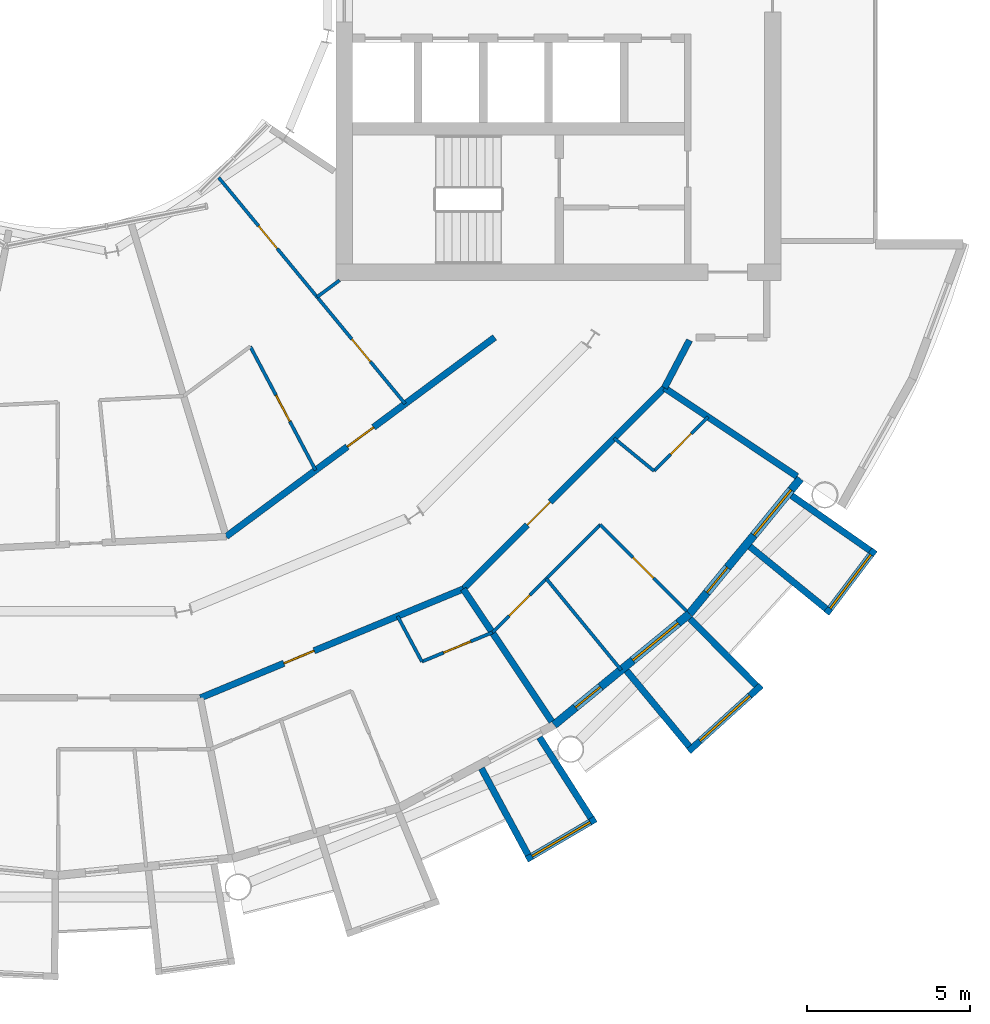
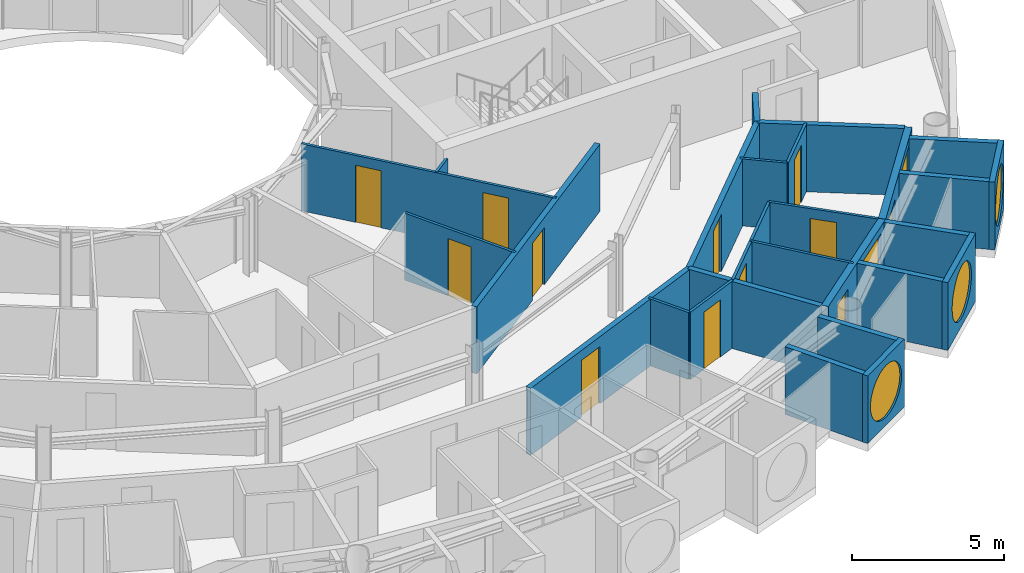
# One storey, part 17 of 27: 27 walls, 12 doors, 5 windows, 17 openings.
"""IFC4 building model written with IfcOpenShell, lengths in metres."""

from ifc_helpers import new_model, si_unit, direction, frame, frame_2d, origin, place, context, subcontext, project, spatial, rectangle, circle, extrude, material, layer, layer_set, type_object, element, fill, save


model = new_model("IFC4")

# Units and contexts
model_context = context("Model", 3, precision=1e-05, world=origin(), true_north=direction((0.0, 1.0)))
body_context = subcontext(model_context, "Body", "Model", "MODEL_VIEW")
ifc_project = project(units=[si_unit("LENGTHUNIT", "METRE"), si_unit("AREAUNIT", "SQUARE_METRE"), si_unit("VOLUMEUNIT", "CUBIC_METRE"), si_unit("PLANEANGLEUNIT", "RADIAN"), si_unit("MASSUNIT", "GRAM", prefix="KILO")], contexts=[model_context])

# Site, building, storey
site_placement = place(None, origin())
site = spatial("IfcSite", under=ifc_project, at=site_placement, CompositionType="ELEMENT")
building_placement = place(site_placement, origin())
building = spatial("IfcBuilding", under=site, at=building_placement, Name="Maasbend Ring Residences", CompositionType="ELEMENT")
storey_placement = place(building_placement, frame((0.0, 0.0, 170.75)))
storey = spatial("IfcBuildingStorey", under=building, at=storey_placement, Name="L49", CompositionType="ELEMENT", Elevation=170.75)

# Wall
ifc_material_1 = material(Name="Concrete C30/37", Category="concrete")
ifc_layer_1 = layer(ifc_material_1, 0.199951171875)
ifc_layer_set_1 = layer_set([ifc_layer_1], Name="Concrete C30/37")
wall_type_1 = type_object("IfcWallType", Name="CORRIDOR WALL 200 CONCRETE", PredefinedType="PARTITIONING", material=ifc_layer_set_1)
wall_1_placement = place(storey_placement, frame((18.5419921875, -12.388916015625, 0.0), z_axis=(0.0, 0.0, 1.0), x_axis=(0.465605550524, 0.884992356646, 0.0)))
element("IfcWall", 1, at=wall_1_placement, inside=storey, type_object=wall_type_1, Name="U-L49-w012", PredefinedType="PARTITIONING", context=body_context, shape_type="SweptSolid", body=[
    extrude(rectangle(XDim=1.642822265625, YDim=0.199951171875, at=frame_2d((0.8212890625, 0.0))), origin(), (0.0, 0.0, 1.0), 2.699951171875),
])

# Wall, opening, door
wall_2_placement = place(storey_placement, frame((4.35107421875, -21.8720703125, 0.0), z_axis=(0.0, 0.0, 1.0), x_axis=(0.923825356298, 0.382814199136, 0.0)))
wall_2 = element("IfcWall", 2, at=wall_2_placement, inside=storey, type_object=wall_type_1, Name="U-L49-w016", PredefinedType="PARTITIONING", context=body_context, shape_type="SweptSolid", body=[
    extrude(rectangle(XDim=8.7041015625, YDim=0.199951171875, at=frame_2d((4.35205078125, 0.0))), origin(), (0.0, 0.0, 1.0), 2.699951171875),
])
opening_1_placement = place(wall_2_placement, frame((2.762939453125, 0.0, 0.0)))
opening_1 = element("IfcOpeningElement", 3, at=opening_1_placement, cuts=wall_2, Name="Opening D-4946", PredefinedType="OPENING", context=body_context, shape_type="SweptSolid", body=[
    extrude(rectangle(XDim=1.0, YDim=2.300048828125, at=frame_2d((0.5, 1.14990234375))), frame((0.0, 0.10986328125, 0.0), z_axis=(0.0, -1.0, 0.0), x_axis=(1.0, 0.0, 0.0)), (0.0, 0.0, 1.0), 0.219970703125),
])
ifc_material_2 = material(Name="Timber, fire-rated, painted", Category="wood")
door_type_1 = type_object("IfcDoorType", Name="FLAT ENTRANCE DOOR 1000 X 2300 FIRE-RATED", OperationType="NOTDEFINED", PredefinedType="DOOR", material=ifc_material_2)
door_1_placement = place(opening_1_placement, origin())
door_1 = element("IfcDoor", 4, at=door_1_placement, inside=storey, type_object=door_type_1, Name="D-4946", OperationType="SINGLE_SWING_LEFT", OverallHeight=2.300048828125, OverallWidth=1.0, PredefinedType="DOOR", context=body_context, shape_type="SweptSolid", body=[
    extrude(rectangle(XDim=1.0, YDim=2.300048828125, at=frame_2d((0.5, 1.14990234375))), frame((0.0, 0.02490234375, 0.0), z_axis=(0.0, -1.0, 0.0), x_axis=(1.0, 0.0, 0.0)), (0.0, 0.0, 1.0), 0.050048828125),
])
fill(opening_1, door_1)

wall_3_placement = place(storey_placement, frame((12.388916015625, -18.5419921875, 0.0), z_axis=(0.0, 0.0, 1.0), x_axis=(0.707106781187, 0.707106781187, 0.0)))
wall_3 = element("IfcWall", 5, at=wall_3_placement, inside=storey, type_object=wall_type_1, Name="U-L49-w017", PredefinedType="PARTITIONING", context=body_context, shape_type="SweptSolid", body=[
    extrude(rectangle(XDim=8.70166015625, YDim=0.199951171875, at=frame_2d((4.350830078125, 0.0))), origin(), (0.0, 0.0, 1.0), 2.699951171875),
])
opening_2_placement = place(wall_3_placement, frame((2.762939453125, 0.0, 0.0)))
opening_2 = element("IfcOpeningElement", 6, at=opening_2_placement, cuts=wall_3, Name="Opening D-4950", PredefinedType="OPENING", context=body_context, shape_type="SweptSolid", body=[
    extrude(rectangle(XDim=1.0, YDim=2.300048828125, at=frame_2d((0.5, 1.14990234375))), frame((0.0, 0.10986328125, 0.0), z_axis=(0.0, -1.0, 0.0), x_axis=(1.0, 0.0, 0.0)), (0.0, 0.0, 1.0), 0.219970703125),
])
door_2_placement = place(opening_2_placement, origin())
door_2 = element("IfcDoor", 7, at=door_2_placement, inside=storey, type_object=door_type_1, Name="D-4950", OperationType="SINGLE_SWING_LEFT", OverallHeight=2.300048828125, OverallWidth=1.0, PredefinedType="DOOR", context=body_context, shape_type="SweptSolid", body=[
    extrude(rectangle(XDim=1.0, YDim=2.300048828125, at=frame_2d((0.5, 1.14990234375))), frame((0.0, 0.02490234375, 0.0), z_axis=(0.0, -1.0, 0.0), x_axis=(1.0, 0.0, 0.0)), (0.0, 0.0, 1.0), 0.050048828125),
])
fill(opening_2, door_2)

wall_4_placement = place(storey_placement, frame((5.136962890625, -16.93798828125, 0.0), z_axis=(0.0, 0.0, 1.0), x_axis=(0.803229232922, 0.595670042371, 0.0)))
wall_4 = element("IfcWall", 8, at=wall_4_placement, inside=storey, type_object=wall_type_1, Name="U-L49-w021", PredefinedType="PARTITIONING", context=body_context, shape_type="SweptSolid", body=[
    extrude(rectangle(XDim=10.223876953125, YDim=0.199951171875, at=frame_2d((5.11181640625, 0.0))), origin(), (0.0, 0.0, 1.0), 2.699951171875),
])
opening_3_placement = place(wall_4_placement, frame((4.612060546875, 0.0, 0.0)))
opening_3 = element("IfcOpeningElement", 9, at=opening_3_placement, cuts=wall_4, Name="Opening D-4961", PredefinedType="OPENING", context=body_context, shape_type="SweptSolid", body=[
    extrude(rectangle(XDim=1.0, YDim=2.300048828125, at=frame_2d((0.5, 1.14990234375))), frame((0.0, 0.10986328125, 0.0), z_axis=(0.0, -1.0, 0.0), x_axis=(1.0, 0.0, 0.0)), (0.0, 0.0, 1.0), 0.219970703125),
])
door_3_placement = place(opening_3_placement, origin())
door_3 = element("IfcDoor", 10, at=door_3_placement, inside=storey, type_object=door_type_1, Name="D-4961", OperationType="SINGLE_SWING_RIGHT", OverallHeight=2.300048828125, OverallWidth=1.0, PredefinedType="DOOR", context=body_context, shape_type="SweptSolid", body=[
    extrude(rectangle(XDim=1.0, YDim=2.300048828125, at=frame_2d((0.5, 1.14990234375))), frame((0.0, 0.02490234375, 0.0), z_axis=(0.0, -1.0, 0.0), x_axis=(1.0, 0.0, 0.0)), (0.0, 0.0, 1.0), 0.050048828125),
])
fill(opening_3, door_3)

# Wall, opening, window
ifc_material_3 = material(Name="Pale anodised aluminium panel", Category="aluminium")
ifc_layer_2 = layer(ifc_material_3, 0.199951171875)
ifc_layer_set_2 = layer_set([ifc_layer_2], Name="EW-BOX")
wall_type_2 = type_object("IfcWallType", Name="EW-BOX", PredefinedType="SOLIDWALL", material=ifc_layer_set_2)
wall_5_placement = place(storey_placement, frame((14.326904296875, -26.81201171875, -0.030029296875), z_axis=(0.0, 0.0, 1.0), x_axis=(0.862403467503, 0.506221551535, 0.0)))
wall_5 = element("IfcWall", 11, at=wall_5_placement, inside=storey, type_object=wall_type_2, Name="Box front S16", PredefinedType="SOLIDWALL", context=body_context, shape_type="SweptSolid", body=[
    extrude(rectangle(XDim=2.445556640625, YDim=0.199951171875, at=frame_2d((1.22265625, 0.0))), origin(), (0.0, 0.0, 1.0), 2.72998046875),
])
opening_4_placement = place(wall_5_placement, frame((0.182861328125, 0.0, 0.330078125)))
opening_4 = element("IfcOpeningElement", 12, at=opening_4_placement, cuts=wall_5, Name="Opening W-RD", PredefinedType="OPENING", context=body_context, shape_type="SweptSolid", body=[
    extrude(circle(Radius=1.0400390625, at=frame_2d((1.0400390625, 1.0400390625))), frame((0.0, 0.10986328125, 0.0), z_axis=(0.0, -1.0, 0.0), x_axis=(1.0, 0.0, 0.0)), (0.0, 0.0, 1.0), 0.219970703125),
])
ifc_material_4 = material(Name="Aluminium and clear glass", Category="aluminium")
window_type_1 = type_object("IfcWindowType", Name="W-RD", PartitioningType="SINGLE_PANEL", PredefinedType="WINDOW", material=ifc_material_4)
window_1_placement = place(opening_4_placement, origin())
window_1 = element("IfcWindow", 13, at=window_1_placement, inside=storey, type_object=window_type_1, Name="Round window S16", OverallHeight=2.080078125, OverallWidth=2.080078125, PartitioningType="SINGLE_PANEL", PredefinedType="WINDOW", context=body_context, shape_type="SweptSolid", body=[
    extrude(circle(Radius=1.0400390625, at=frame_2d((1.0400390625, 1.0400390625))), frame((0.0, 0.030029296875, 0.0), z_axis=(0.0, -1.0, 0.0), x_axis=(1.0, 0.0, 0.0)), (0.0, 0.0, 1.0), 0.06005859375),
])
fill(opening_4, window_1)

# Walls
wall_6_placement = place(storey_placement, frame((12.945068359375, -24.029052734375, -0.030029296875), z_axis=(0.0, 0.0, 1.0), x_axis=(0.474424310775, -0.88029629861, 0.0)))
element("IfcWall", 14, at=wall_6_placement, inside=storey, type_object=wall_type_2, Name="Box side wall S16 left", PredefinedType="SOLIDWALL", context=body_context, shape_type="SweptSolid", body=[
    extrude(rectangle(XDim=3.005859375, YDim=0.199951171875, at=frame_2d((1.5029296875, 0.0))), origin(), (0.0, 0.0, 1.0), 2.72998046875),
])
wall_7_placement = place(storey_placement, frame((14.721923828125, -23.0791015625, -0.030029296875), z_axis=(0.0, 0.0, 1.0), x_axis=(0.537572179146, -0.843217737129, 0.0)))
element("IfcWall", 15, at=wall_7_placement, inside=storey, type_object=wall_type_2, Name="Box side wall S16 right", PredefinedType="SOLIDWALL", context=body_context, shape_type="SweptSolid", body=[
    extrude(rectangle(XDim=2.92431640625, YDim=0.199951171875, at=frame_2d((1.462158203125, 0.0))), origin(), (0.0, 0.0, 1.0), 2.72998046875),
])

# Wall, opening, window
wall_8_placement = place(storey_placement, frame((19.281982421875, -23.5029296875, -0.030029296875), z_axis=(0.0, 0.0, 1.0), x_axis=(0.740998365753, 0.671506829416, 0.0)))
wall_8 = element("IfcWall", 16, at=wall_8_placement, inside=storey, type_object=wall_type_2, Name="Box front S18", PredefinedType="SOLIDWALL", context=body_context, shape_type="SweptSolid", body=[
    extrude(rectangle(XDim=2.9931640625, YDim=0.199951171875, at=frame_2d((1.49658203125, 0.0))), origin(), (0.0, 0.0, 1.0), 2.72998046875),
])
opening_5_placement = place(wall_8_placement, frame((0.45654296875, 0.0, 0.330078125)))
opening_5 = element("IfcOpeningElement", 17, at=opening_5_placement, cuts=wall_8, Name="Opening W-RD", PredefinedType="OPENING", context=body_context, shape_type="SweptSolid", body=[
    extrude(circle(Radius=1.0400390625, at=frame_2d((1.0400390625, 1.0400390625))), frame((0.0, 0.10986328125, 0.0), z_axis=(0.0, -1.0, 0.0), x_axis=(1.0, 0.0, 0.0)), (0.0, 0.0, 1.0), 0.219970703125),
])
window_2_placement = place(opening_5_placement, origin())
window_2 = element("IfcWindow", 18, at=window_2_placement, inside=storey, type_object=window_type_1, Name="Round window S18", OverallHeight=2.080078125, OverallWidth=2.080078125, PartitioningType="SINGLE_PANEL", PredefinedType="WINDOW", context=body_context, shape_type="SweptSolid", body=[
    extrude(circle(Radius=1.0400390625, at=frame_2d((1.0400390625, 1.0400390625))), frame((0.0, 0.030029296875, 0.0), z_axis=(0.0, -1.0, 0.0), x_axis=(1.0, 0.0, 0.0)), (0.0, 0.0, 1.0), 0.06005859375),
])
fill(opening_5, window_2)

# Walls
wall_9_placement = place(storey_placement, frame((17.384033203125, -21.041015625, -0.030029296875), z_axis=(0.0, 0.0, 1.0), x_axis=(0.63709551667, -0.770784861449, 0.0)))
element("IfcWall", 19, at=wall_9_placement, inside=storey, type_object=wall_type_2, Name="Box side wall S18 left", PredefinedType="SOLIDWALL", context=body_context, shape_type="SweptSolid", body=[
    extrude(rectangle(XDim=3.005859375, YDim=0.199951171875, at=frame_2d((1.5029296875, 0.0))), origin(), (0.0, 0.0, 1.0), 2.72998046875),
])
wall_10_placement = place(storey_placement, frame((19.322998046875, -19.449951171875, -0.030029296875), z_axis=(0.0, 0.0, 1.0), x_axis=(0.704476739375, -0.709727076896, 0.0)))
element("IfcWall", 20, at=wall_10_placement, inside=storey, type_object=wall_type_2, Name="Box side wall S18 right", PredefinedType="SOLIDWALL", context=body_context, shape_type="SweptSolid", body=[
    extrude(rectangle(XDim=2.883056640625, YDim=0.199951171875, at=frame_2d((1.44140625, 0.0))), origin(), (0.0, 0.0, 1.0), 2.72998046875),
])

# Wall, opening, window
wall_11_placement = place(storey_placement, frame((23.4970703125, -19.2890625, -0.030029296875), z_axis=(0.0, 0.0, 1.0), x_axis=(0.602806268067, 0.797887588059, 0.0)))
wall_11 = element("IfcWall", 21, at=wall_11_placement, inside=storey, type_object=wall_type_2, Name="Box front S20", PredefinedType="SOLIDWALL", context=body_context, shape_type="SweptSolid", body=[
    extrude(rectangle(XDim=2.446533203125, YDim=0.199951171875, at=frame_2d((1.22314453125, 0.0))), origin(), (0.0, 0.0, 1.0), 2.72998046875),
])
opening_6_placement = place(wall_11_placement, frame((0.182861328125, 0.0, 0.330078125)))
opening_6 = element("IfcOpeningElement", 22, at=opening_6_placement, cuts=wall_11, Name="Opening W-RD", PredefinedType="OPENING", context=body_context, shape_type="SweptSolid", body=[
    extrude(circle(Radius=1.0400390625, at=frame_2d((1.0400390625, 1.0400390625))), frame((0.0, 0.10986328125, 0.0), z_axis=(0.0, -1.0, 0.0), x_axis=(1.0, 0.0, 0.0)), (0.0, 0.0, 1.0), 0.219970703125),
])
window_3_placement = place(opening_6_placement, origin())
window_3 = element("IfcWindow", 23, at=window_3_placement, inside=storey, type_object=window_type_1, Name="Round window S20", OverallHeight=2.080078125, OverallWidth=2.080078125, PartitioningType="SINGLE_PANEL", PredefinedType="WINDOW", context=body_context, shape_type="SweptSolid", body=[
    extrude(circle(Radius=1.0400390625, at=frame_2d((1.0400390625, 1.0400390625))), frame((0.0, 0.030029296875, 0.0), z_axis=(0.0, -1.0, 0.0), x_axis=(1.0, 0.0, 0.0)), (0.0, 0.0, 1.0), 0.06005859375),
])
fill(opening_6, window_3)

# Walls
wall_12_placement = place(storey_placement, frame((21.155029296875, -17.24609375, -0.030029296875), z_axis=(0.0, 0.0, 1.0), x_axis=(0.775179004516, -0.631741648902, 0.0)))
element("IfcWall", 24, at=wall_12_placement, inside=storey, type_object=wall_type_2, Name="Box side wall S20 left", PredefinedType="SOLIDWALL", context=body_context, shape_type="SweptSolid", body=[
    extrude(rectangle(XDim=3.005859375, YDim=0.199951171875, at=frame_2d((1.5029296875, 0.0))), origin(), (0.0, 0.0, 1.0), 2.72998046875),
])
wall_13_placement = place(storey_placement, frame((22.43310546875, -15.68798828125, -0.030029296875), z_axis=(0.0, 0.0, 1.0), x_axis=(0.819373043115, -0.573260687834, 0.0)))
element("IfcWall", 25, at=wall_13_placement, inside=storey, type_object=wall_type_2, Name="Box side wall S20 right", PredefinedType="SOLIDWALL", context=body_context, shape_type="SweptSolid", body=[
    extrude(rectangle(XDim=2.92529296875, YDim=0.199951171875, at=frame_2d((1.462646484375, 0.0))), origin(), (0.0, 0.0, 1.0), 2.72998046875),
])

# Wall, openings, door, window
ifc_material_5 = material(Name="Aluminium clad insulated panel", Category="aluminium")
ifc_layer_3 = layer(ifc_material_5, 0.25)
ifc_layer_set_3 = layer_set([ifc_layer_3], Name="EW-GL")
wall_type_3 = type_object("IfcWallType", Name="EW-GL", PredefinedType="SOLIDWALL", material=ifc_layer_set_3)
wall_14_placement = place(storey_placement, frame((15.1669921875, -22.698974609375, 0.0), z_axis=(0.0, 0.0, 1.0), x_axis=(0.773019449054, 0.634382322723, 0.0)))
wall_14 = element("IfcWall", 26, at=wall_14_placement, inside=storey, type_object=wall_type_3, Name="External wall S09", PredefinedType="SOLIDWALL", context=body_context, shape_type="SweptSolid", body=[
    extrude(rectangle(XDim=5.351806640625, YDim=0.25, at=frame_2d((2.67578125, 0.0))), origin(), (0.0, 0.0, 1.0), 2.699951171875),
])
opening_7_placement = place(wall_14_placement, frame((0.841064453125, 0.0, 0.0)))
opening_7 = element("IfcOpeningElement", 27, at=opening_7_placement, cuts=wall_14, Name="Opening D-LG", PredefinedType="OPENING", context=body_context, shape_type="SweptSolid", body=[
    extrude(rectangle(XDim=1.0, YDim=2.199951171875, at=frame_2d((0.5, 1.10009765625))), frame((0.0, 0.135009765625, 0.0), z_axis=(0.0, -1.0, 0.0), x_axis=(1.0, 0.0, 0.0)), (0.0, 0.0, 1.0), 0.27001953125),
])
opening_8_placement = place(wall_14_placement, frame((3.110595703125, 0.0, 0.300048828125)))
opening_8 = element("IfcOpeningElement", 28, at=opening_8_placement, cuts=wall_14, Name="Opening W-BX", PredefinedType="OPENING", context=body_context, shape_type="SweptSolid", body=[
    extrude(rectangle(XDim=1.800048828125, YDim=2.10009765625, at=frame_2d((0.89990234375, 1.050048828125))), frame((0.0, 0.135009765625, 0.0), z_axis=(0.0, -1.0, 0.0), x_axis=(1.0, 0.0, 0.0)), (0.0, 0.0, 1.0), 0.27001953125),
])
ifc_material_6 = material(Name="Aluminium and clear glass", Category="aluminium")
door_type_2 = type_object("IfcDoorType", Name="D-LG", OperationType="SINGLE_SWING_LEFT", PredefinedType="DOOR", material=ifc_material_6)
door_4_placement = place(opening_7_placement, origin())
door_4 = element("IfcDoor", 29, at=door_4_placement, inside=storey, type_object=door_type_2, Name="Loggia door S17", OperationType="SINGLE_SWING_LEFT", OverallHeight=2.199951171875, OverallWidth=1.0, PredefinedType="DOOR", context=body_context, shape_type="SweptSolid", body=[
    extrude(rectangle(XDim=1.0, YDim=2.199951171875, at=frame_2d((0.5, 1.10009765625))), frame((0.0, 0.02490234375, 0.0), z_axis=(0.0, -1.0, 0.0), x_axis=(1.0, 0.0, 0.0)), (0.0, 0.0, 1.0), 0.050048828125),
])
fill(opening_7, door_4)
ifc_material_7 = material(Name="Aluminium and clear glass", Category="aluminium")
window_type_2 = type_object("IfcWindowType", Name="W-BX", PartitioningType="DOUBLE_PANEL_VERTICAL", PredefinedType="WINDOW", material=ifc_material_7)
window_4_placement = place(opening_8_placement, origin())
window_4 = element("IfcWindow", 30, at=window_4_placement, inside=storey, type_object=window_type_2, Name="Window S18 room to box", OverallHeight=2.10009765625, OverallWidth=1.800048828125, PartitioningType="SINGLE_PANEL", PredefinedType="WINDOW", context=body_context, shape_type="SweptSolid", body=[
    extrude(rectangle(XDim=1.800048828125, YDim=2.10009765625, at=frame_2d((0.89990234375, 1.050048828125))), frame((0.0, 0.030029296875, 0.0), z_axis=(0.0, -1.0, 0.0), x_axis=(1.0, 0.0, 0.0)), (0.0, 0.0, 1.0), 0.06005859375),
])
fill(opening_8, window_4)

wall_15_placement = place(storey_placement, frame((19.303955078125, -19.303955078125, 0.0), z_axis=(0.0, 0.0, 1.0), x_axis=(0.634382322723, 0.773019449054, 0.0)))
wall_15 = element("IfcWall", 31, at=wall_15_placement, inside=storey, type_object=wall_type_3, Name="External wall S10", PredefinedType="SOLIDWALL", context=body_context, shape_type="SweptSolid", body=[
    extrude(rectangle(XDim=5.351806640625, YDim=0.25, at=frame_2d((2.67578125, 0.0))), origin(), (0.0, 0.0, 1.0), 2.699951171875),
])
opening_9_placement = place(wall_15_placement, frame((0.841064453125, 0.0, 0.0)))
opening_9 = element("IfcOpeningElement", 32, at=opening_9_placement, cuts=wall_15, Name="Opening D-LG", PredefinedType="OPENING", context=body_context, shape_type="SweptSolid", body=[
    extrude(rectangle(XDim=1.0, YDim=2.199951171875, at=frame_2d((0.5, 1.10009765625))), frame((0.0, 0.135009765625, 0.0), z_axis=(0.0, -1.0, 0.0), x_axis=(1.0, 0.0, 0.0)), (0.0, 0.0, 1.0), 0.27001953125),
])
opening_10_placement = place(wall_15_placement, frame((3.110595703125, 0.0, 0.300048828125)))
opening_10 = element("IfcOpeningElement", 33, at=opening_10_placement, cuts=wall_15, Name="Opening W-BX", PredefinedType="OPENING", context=body_context, shape_type="SweptSolid", body=[
    extrude(rectangle(XDim=1.800048828125, YDim=2.10009765625, at=frame_2d((0.89990234375, 1.050048828125))), frame((0.0, 0.135009765625, 0.0), z_axis=(0.0, -1.0, 0.0), x_axis=(1.0, 0.0, 0.0)), (0.0, 0.0, 1.0), 0.27001953125),
])
door_5_placement = place(opening_9_placement, origin())
door_5 = element("IfcDoor", 34, at=door_5_placement, inside=storey, type_object=door_type_2, Name="Loggia door S19", OperationType="SINGLE_SWING_LEFT", OverallHeight=2.199951171875, OverallWidth=1.0, PredefinedType="DOOR", context=body_context, shape_type="SweptSolid", body=[
    extrude(rectangle(XDim=1.0, YDim=2.199951171875, at=frame_2d((0.5, 1.10009765625))), frame((0.0, 0.02490234375, 0.0), z_axis=(0.0, -1.0, 0.0), x_axis=(1.0, 0.0, 0.0)), (0.0, 0.0, 1.0), 0.050048828125),
])
fill(opening_9, door_5)
window_5_placement = place(opening_10_placement, origin())
window_5 = element("IfcWindow", 35, at=window_5_placement, inside=storey, type_object=window_type_2, Name="Window S20 room to box", OverallHeight=2.10009765625, OverallWidth=1.800048828125, PartitioningType="SINGLE_PANEL", PredefinedType="WINDOW", context=body_context, shape_type="SweptSolid", body=[
    extrude(rectangle(XDim=1.800048828125, YDim=2.10009765625, at=frame_2d((0.89990234375, 1.050048828125))), frame((0.0, 0.030029296875, 0.0), z_axis=(0.0, -1.0, 0.0), x_axis=(1.0, 0.0, 0.0)), (0.0, 0.0, 1.0), 0.06005859375),
])
fill(opening_10, window_5)

# Wall, opening, door
ifc_material_8 = material(Name="Gypsum board on steel studs", Category="steel")
ifc_layer_4 = layer(ifc_material_8, 0.10009765625)
ifc_layer_set_4 = layer_set([ifc_layer_4], Name="PARTITION 100 GYPSUM")
wall_type_4 = type_object("IfcWallType", Name="PARTITION 100 GYPSUM", PredefinedType="PARTITIONING", material=ifc_layer_set_4)
wall_16_placement = place(storey_placement, frame((11.1240234375, -20.763916015625, 0.0), z_axis=(0.0, 0.0, 1.0), x_axis=(0.923938991376, 0.382539854414, 0.0)))
wall_16 = element("IfcWall", 36, at=wall_16_placement, inside=storey, type_object=wall_type_4, Name="U-L49-w008", PredefinedType="PARTITIONING", context=body_context, shape_type="SweptSolid", body=[
    extrude(rectangle(XDim=2.331298828125, YDim=0.10009765625, at=frame_2d((1.16552734375, 0.0))), origin(), (0.0, 0.0, 1.0), 2.699951171875),
])
opening_11_placement = place(wall_16_placement, frame((0.716064453125, 0.0, 0.0)))
opening_11 = element("IfcOpeningElement", 37, at=opening_11_placement, cuts=wall_16, Name="Opening D-4947", PredefinedType="OPENING", context=body_context, shape_type="SweptSolid", body=[
    extrude(rectangle(XDim=0.89990234375, YDim=2.300048828125, at=frame_2d((0.449951171875, 1.14990234375))), frame((0.0, 0.06005859375, 0.0), z_axis=(0.0, -1.0, 0.0), x_axis=(1.0, 0.0, 0.0)), (0.0, 0.0, 1.0), 0.1201171875),
])
ifc_material_9 = material(Name="Timber, painted", Category="wood")
door_type_3 = type_object("IfcDoorType", Name="INTERNAL DOOR 900 X 2300", OperationType="NOTDEFINED", PredefinedType="DOOR", material=ifc_material_9)
door_6_placement = place(opening_11_placement, origin())
door_6 = element("IfcDoor", 38, at=door_6_placement, inside=storey, type_object=door_type_3, Name="D-4947", OperationType="SINGLE_SWING_RIGHT", OverallHeight=2.300048828125, OverallWidth=0.89990234375, PredefinedType="DOOR", context=body_context, shape_type="SweptSolid", body=[
    extrude(rectangle(XDim=0.89990234375, YDim=2.300048828125, at=frame_2d((0.449951171875, 1.14990234375))), frame((0.0, 0.02490234375, 0.0), z_axis=(0.0, -1.0, 0.0), x_axis=(1.0, 0.0, 0.0)), (0.0, 0.0, 1.0), 0.050048828125),
])
fill(opening_11, door_6)

wall_17_placement = place(storey_placement, frame((13.284912109375, -19.868896484375, 0.0), z_axis=(0.0, 0.0, 1.0), x_axis=(0.706923494552, 0.707290020325, 0.0)))
wall_17 = element("IfcWall", 39, at=wall_17_placement, inside=storey, type_object=wall_type_4, Name="U-L49-w009", PredefinedType="PARTITIONING", context=body_context, shape_type="SweptSolid", body=[
    extrude(rectangle(XDim=4.66259765625, YDim=0.10009765625, at=frame_2d((2.331298828125, 0.0))), origin(), (0.0, 0.0, 1.0), 2.699951171875),
])
opening_12_placement = place(wall_17_placement, frame((0.7119140625, 0.0, 0.0)))
opening_12 = element("IfcOpeningElement", 40, at=opening_12_placement, cuts=wall_17, Name="Opening D-4953", PredefinedType="OPENING", context=body_context, shape_type="SweptSolid", body=[
    extrude(rectangle(XDim=0.89990234375, YDim=2.300048828125, at=frame_2d((0.449951171875, 1.14990234375))), frame((0.0, 0.06005859375, 0.0), z_axis=(0.0, -1.0, 0.0), x_axis=(1.0, 0.0, 0.0)), (0.0, 0.0, 1.0), 0.1201171875),
])
door_7_placement = place(opening_12_placement, origin())
door_7 = element("IfcDoor", 41, at=door_7_placement, inside=storey, type_object=door_type_3, Name="D-4953", OperationType="SINGLE_SWING_LEFT", OverallHeight=2.300048828125, OverallWidth=0.89990234375, PredefinedType="DOOR", context=body_context, shape_type="SweptSolid", body=[
    extrude(rectangle(XDim=0.89990234375, YDim=2.300048828125, at=frame_2d((0.449951171875, 1.14990234375))), frame((0.0, 0.02490234375, 0.0), z_axis=(0.0, -1.0, 0.0), x_axis=(1.0, 0.0, 0.0)), (0.0, 0.0, 1.0), 0.050048828125),
])
fill(opening_12, door_7)

wall_18_placement = place(storey_placement, frame((18.22412109375, -14.927001953125, 0.0), z_axis=(0.0, 0.0, 1.0), x_axis=(0.706897299114, 0.707316201218, 0.0)))
wall_18 = element("IfcWall", 42, at=wall_18_placement, inside=storey, type_object=wall_type_4, Name="U-L49-w010", PredefinedType="PARTITIONING", context=body_context, shape_type="SweptSolid", body=[
    extrude(rectangle(XDim=2.331298828125, YDim=0.10009765625, at=frame_2d((1.16552734375, 0.0))), origin(), (0.0, 0.0, 1.0), 2.699951171875),
])
opening_13_placement = place(wall_18_placement, frame((0.716064453125, 0.0, 0.0)))
opening_13 = element("IfcOpeningElement", 43, at=opening_13_placement, cuts=wall_18, Name="Opening D-4951", PredefinedType="OPENING", context=body_context, shape_type="SweptSolid", body=[
    extrude(rectangle(XDim=0.89990234375, YDim=2.300048828125, at=frame_2d((0.449951171875, 1.14990234375))), frame((0.0, 0.06005859375, 0.0), z_axis=(0.0, -1.0, 0.0), x_axis=(1.0, 0.0, 0.0)), (0.0, 0.0, 1.0), 0.1201171875),
])
door_8_placement = place(opening_13_placement, origin())
door_8 = element("IfcDoor", 44, at=door_8_placement, inside=storey, type_object=door_type_3, Name="D-4951", OperationType="SINGLE_SWING_RIGHT", OverallHeight=2.300048828125, OverallWidth=0.89990234375, PredefinedType="DOOR", context=body_context, shape_type="SweptSolid", body=[
    extrude(rectangle(XDim=0.89990234375, YDim=2.300048828125, at=frame_2d((0.449951171875, 1.14990234375))), frame((0.0, 0.02490234375, 0.0), z_axis=(0.0, -1.0, 0.0), x_axis=(1.0, 0.0, 0.0)), (0.0, 0.0, 1.0), 0.050048828125),
])
fill(opening_13, door_8)

# Wall
wall_19_placement = place(storey_placement, frame((7.9189453125, -9.611083984375, 0.0), z_axis=(0.0, 0.0, 1.0), x_axis=(0.803199066515, 0.595710718007, 0.0)))
element("IfcWall", 45, at=wall_19_placement, inside=storey, type_object=wall_type_4, Name="U-L49-w026", PredefinedType="PARTITIONING", context=body_context, shape_type="SweptSolid", body=[
    extrude(rectangle(XDim=0.857666015625, YDim=0.10009765625, at=frame_2d((0.4287109375, 0.0))), origin(), (0.0, 0.0, 1.0), 2.699951171875),
])

# Wall, openings, doors
wall_20_placement = place(storey_placement, frame((4.907958984375, -5.958984375, 0.0), z_axis=(0.0, 0.0, 1.0), x_axis=(0.636115614725, -0.771593756262, 0.0)))
wall_20 = element("IfcWall", 46, at=wall_20_placement, inside=storey, type_object=wall_type_4, Name="U-L49-w075", PredefinedType="PARTITIONING", context=body_context, shape_type="SweptSolid", body=[
    extrude(rectangle(XDim=8.967041015625, YDim=0.10009765625, at=frame_2d((4.4833984375, 0.0))), origin(), (0.0, 0.0, 1.0), 2.699951171875),
])
opening_14_placement = place(wall_20_placement, frame((6.39990234375, 0.0, 0.0)))
opening_14 = element("IfcOpeningElement", 47, at=opening_14_placement, cuts=wall_20, Name="Opening D-4963", PredefinedType="OPENING", context=body_context, shape_type="SweptSolid", body=[
    extrude(rectangle(XDim=0.89990234375, YDim=2.300048828125, at=frame_2d((0.449951171875, 1.14990234375))), frame((0.0, 0.06005859375, 0.0), z_axis=(0.0, -1.0, 0.0), x_axis=(1.0, 0.0, 0.0)), (0.0, 0.0, 1.0), 0.1201171875),
])
opening_15_placement = place(wall_20_placement, frame((1.9169921875, 0.0, 0.0)))
opening_15 = element("IfcOpeningElement", 48, at=opening_15_placement, cuts=wall_20, Name="Opening D-4964", PredefinedType="OPENING", context=body_context, shape_type="SweptSolid", body=[
    extrude(rectangle(XDim=0.89990234375, YDim=2.300048828125, at=frame_2d((0.449951171875, 1.14990234375))), frame((0.0, 0.06005859375, 0.0), z_axis=(0.0, -1.0, 0.0), x_axis=(1.0, 0.0, 0.0)), (0.0, 0.0, 1.0), 0.1201171875),
])
door_9_placement = place(opening_14_placement, origin())
door_9 = element("IfcDoor", 49, at=door_9_placement, inside=storey, type_object=door_type_3, Name="D-4963", OperationType="SINGLE_SWING_RIGHT", OverallHeight=2.300048828125, OverallWidth=0.89990234375, PredefinedType="DOOR", context=body_context, shape_type="SweptSolid", body=[
    extrude(rectangle(XDim=0.89990234375, YDim=2.300048828125, at=frame_2d((0.449951171875, 1.14990234375))), frame((0.0, 0.02490234375, 0.0), z_axis=(0.0, -1.0, 0.0), x_axis=(1.0, 0.0, 0.0)), (0.0, 0.0, 1.0), 0.050048828125),
])
fill(opening_14, door_9)
door_10_placement = place(opening_15_placement, origin())
door_10 = element("IfcDoor", 50, at=door_10_placement, inside=storey, type_object=door_type_3, Name="D-4964", OperationType="SINGLE_SWING_LEFT", OverallHeight=2.300048828125, OverallWidth=0.89990234375, PredefinedType="DOOR", context=body_context, shape_type="SweptSolid", body=[
    extrude(rectangle(XDim=0.89990234375, YDim=2.300048828125, at=frame_2d((0.449951171875, 1.14990234375))), frame((0.0, 0.02490234375, 0.0), z_axis=(0.0, -1.0, 0.0), x_axis=(1.0, 0.0, 0.0)), (0.0, 0.0, 1.0), 0.050048828125),
])
fill(opening_15, door_10)

# Wall, opening, door
wall_21_placement = place(storey_placement, frame((5.875, -11.1259765625, 0.0), z_axis=(0.0, 0.0, 1.0), x_axis=(0.467030118529, -0.884241408432, 0.0)))
wall_21 = element("IfcWall", 51, at=wall_21_placement, inside=storey, type_object=wall_type_4, Name="U-L49-w076", PredefinedType="PARTITIONING", context=body_context, shape_type="SweptSolid", body=[
    extrude(rectangle(XDim=4.278076171875, YDim=0.10009765625, at=frame_2d((2.13916015625, 0.0))), origin(), (0.0, 0.0, 1.0), 2.699951171875),
])
opening_16_placement = place(wall_21_placement, frame((1.68896484375, 0.0, 0.0)))
opening_16 = element("IfcOpeningElement", 52, at=opening_16_placement, cuts=wall_21, Name="Opening D-4962", PredefinedType="OPENING", context=body_context, shape_type="SweptSolid", body=[
    extrude(rectangle(XDim=0.89990234375, YDim=2.300048828125, at=frame_2d((0.449951171875, 1.14990234375))), frame((0.0, 0.06005859375, 0.0), z_axis=(0.0, -1.0, 0.0), x_axis=(1.0, 0.0, 0.0)), (0.0, 0.0, 1.0), 0.1201171875),
])
door_11_placement = place(opening_16_placement, origin())
door_11 = element("IfcDoor", 53, at=door_11_placement, inside=storey, type_object=door_type_3, Name="D-4962", OperationType="SINGLE_SWING_RIGHT", OverallHeight=2.300048828125, OverallWidth=0.89990234375, PredefinedType="DOOR", context=body_context, shape_type="SweptSolid", body=[
    extrude(rectangle(XDim=0.89990234375, YDim=2.300048828125, at=frame_2d((0.449951171875, 1.14990234375))), frame((0.0, 0.02490234375, 0.0), z_axis=(0.0, -1.0, 0.0), x_axis=(1.0, 0.0, 0.0)), (0.0, 0.0, 1.0), 0.050048828125),
])
fill(opening_16, door_11)

# Walls
wall_22_placement = place(storey_placement, frame((10.3798828125, -19.3740234375, 0.0), z_axis=(0.0, 0.0, 1.0), x_axis=(0.472002235476, -0.881597351236, 0.0)))
element("IfcWall", 54, at=wall_22_placement, inside=storey, type_object=wall_type_4, Name="U-L49-w083", PredefinedType="PARTITIONING", context=body_context, shape_type="SweptSolid", body=[
    extrude(rectangle(XDim=1.57666015625, YDim=0.10009765625, at=frame_2d((0.788330078125, 0.0))), origin(), (0.0, 0.0, 1.0), 2.699951171875),
])
wall_23_placement = place(storey_placement, frame((14.927001953125, -18.22412109375, 0.0), z_axis=(0.0, 0.0, 1.0), x_axis=(0.633737383709, -0.773548271597, 0.0)))
element("IfcWall", 55, at=wall_23_placement, inside=storey, type_object=wall_type_4, Name="U-L49-w087", PredefinedType="PARTITIONING", context=body_context, shape_type="SweptSolid", body=[
    extrude(rectangle(XDim=3.6181640625, YDim=0.10009765625, at=frame_2d((1.80908203125, 0.0))), origin(), (0.0, 0.0, 1.0), 2.699951171875),
])

# Wall, opening, door
wall_24_placement = place(storey_placement, frame((16.574951171875, -16.574951171875, 0.0), z_axis=(0.0, 0.0, 1.0), x_axis=(0.707106781187, -0.707106781187, 0.0)))
wall_24 = element("IfcWall", 56, at=wall_24_placement, inside=storey, type_object=wall_type_4, Name="U-L49-w088", PredefinedType="PARTITIONING", context=body_context, shape_type="SweptSolid", body=[
    extrude(rectangle(XDim=3.735107421875, YDim=0.10009765625, at=frame_2d((1.86767578125, 0.0))), origin(), (0.0, 0.0, 1.0), 2.699951171875),
])
opening_17_placement = place(wall_24_placement, frame((1.4169921875, 0.0, 0.0)))
opening_17 = element("IfcOpeningElement", 57, at=opening_17_placement, cuts=wall_24, Name="Opening D-4952", PredefinedType="OPENING", context=body_context, shape_type="SweptSolid", body=[
    extrude(rectangle(XDim=0.89990234375, YDim=2.300048828125, at=frame_2d((0.449951171875, 1.14990234375))), frame((0.0, 0.06005859375, 0.0), z_axis=(0.0, -1.0, 0.0), x_axis=(1.0, 0.0, 0.0)), (0.0, 0.0, 1.0), 0.1201171875),
])
door_12_placement = place(opening_17_placement, origin())
door_12 = element("IfcDoor", 58, at=door_12_placement, inside=storey, type_object=door_type_3, Name="D-4952", OperationType="SINGLE_SWING_RIGHT", OverallHeight=2.300048828125, OverallWidth=0.89990234375, PredefinedType="DOOR", context=body_context, shape_type="SweptSolid", body=[
    extrude(rectangle(XDim=0.89990234375, YDim=2.300048828125, at=frame_2d((0.449951171875, 1.14990234375))), frame((0.0, 0.02490234375, 0.0), z_axis=(0.0, -1.0, 0.0), x_axis=(1.0, 0.0, 0.0)), (0.0, 0.0, 1.0), 0.050048828125),
])
fill(opening_17, door_12)

# Walls
wall_25_placement = place(storey_placement, frame((17.0009765625, -13.929931640625, 0.0), z_axis=(0.0, 0.0, 1.0), x_axis=(0.773633255921, -0.633633636523, 0.0)))
element("IfcWall", 59, at=wall_25_placement, inside=storey, type_object=wall_type_4, Name="U-L49-w090", PredefinedType="PARTITIONING", context=body_context, shape_type="SweptSolid", body=[
    extrude(rectangle(XDim=1.578125, YDim=0.10009765625, at=frame_2d((0.7890625, 0.0))), origin(), (0.0, 0.0, 1.0), 2.699951171875),
])
ifc_material_10 = material(Name="Concrete C30/37", Category="concrete")
ifc_layer_5 = layer(ifc_material_10, 0.199951171875)
ifc_layer_set_5 = layer_set([ifc_layer_5], Name="Concrete C30/37")
wall_type_5 = type_object("IfcWallType", Name="PARTY WALL 200 CONCRETE", PredefinedType="PARTITIONING", material=ifc_layer_set_5)
for number, where, z_axis, x_axis, name in (
    (60, (12.388916015625, -18.5419921875, 0.0), (0.0, 0.0, 1.0), (0.55569370664, -0.831387096605, 0.0), "U-L49-w085"),
    (61, (18.5419921875, -12.388916015625, 0.0), (0.0, 0.0, 1.0), (0.831387096605, -0.55569370664, 0.0), "U-L49-w092"),
):
    element("IfcWall", number, at=place(storey_placement, frame(where, z_axis=z_axis, x_axis=x_axis)), inside=storey, type_object=wall_type_5, Name=name, PredefinedType="PARTITIONING", context=body_context, shape_type="SweptSolid", body=[
        extrude(rectangle(XDim=4.875, YDim=0.199951171875, at=frame_2d((2.4375, 0.0))), origin(), (0.0, 0.0, 1.0), 2.699951171875),
    ])

save(model, "model.ifc")
